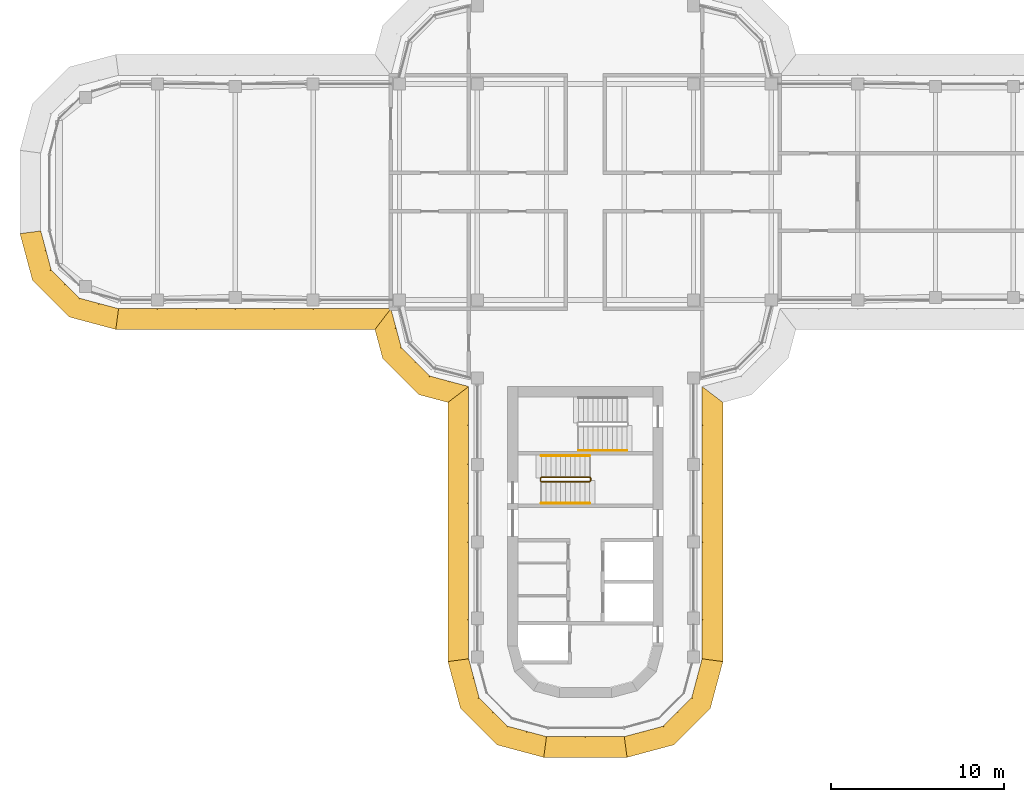
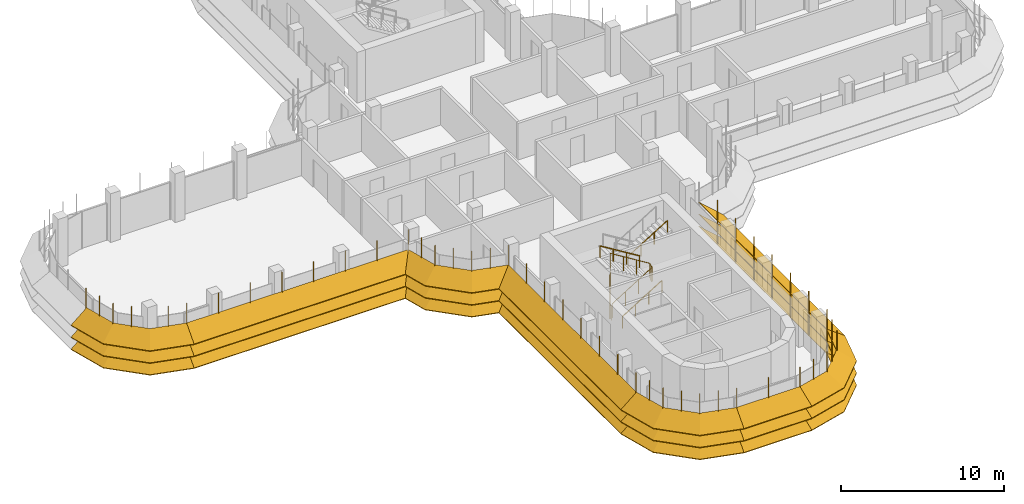
# One storey, part 16 of 19: 8 shading devices, 4 railings.
"""IFC4 building model written with IfcOpenShell, lengths in metres."""

from ifc_helpers import new_model, si_unit, direction, frame, origin, origin_2d, place, context, subcontext, project, spatial, polyline, circle, outline, extrude, faceted_brep, source, transform, mapped, material, type_object, element, save


model = new_model("IFC4")

# Units and contexts
model_context = context("Model", 3, precision=1e-05, world=origin(), true_north=direction((0.0, 1.0)))
body_context = subcontext(model_context, "Body", "Model", "MODEL_VIEW")
ifc_project = project(units=[si_unit("LENGTHUNIT", "METRE"), si_unit("AREAUNIT", "SQUARE_METRE"), si_unit("VOLUMEUNIT", "CUBIC_METRE"), si_unit("PLANEANGLEUNIT", "RADIAN"), si_unit("MASSUNIT", "GRAM", prefix="KILO")], contexts=[model_context])

# Site, building, storey
site_placement = place(None, origin())
site = spatial("IfcSite", under=ifc_project, at=site_placement, CompositionType="ELEMENT")
building_placement = place(site_placement, origin())
building = spatial("IfcBuilding", under=site, at=building_placement, Name="Zarbagh Exchange Tower", CompositionType="ELEMENT")
storey_placement = place(building_placement, frame((0.0, 0.0, 233.39990234375)))
storey = spatial("IfcBuildingStorey", under=building, at=storey_placement, Name="L57", CompositionType="ELEMENT", Elevation=233.39990234375)

# Railings
ifc_material_1 = material(Name="Stainless steel", Category="steel")
railing_type_1 = type_object("IfcRailingType", Name="Stair guard 1100 mm", PredefinedType="GUARDRAIL", material=ifc_material_1)
railing_1_placement = place(storey_placement, frame((-2.550048828125, -16.75, 0.1728515625)))
element("IfcRailing", 1, at=railing_1_placement, inside=storey, type_object=railing_type_1, Name="ST3 stair guard 1", PredefinedType="GUARDRAIL", context=body_context, shape_type="SweptSolid", body=[
    extrude(circle(Radius=0.02392578125, at=origin_2d()), frame((0.0, 0.0, 1.076171875), z_axis=(0.851089632645, 0.0, 0.525020415988), x_axis=(0.0, 1.0, 0.0)), (0.0, 0.0, 1.0), 3.2900390625),
    extrude(circle(Radius=0.02392578125, at=origin_2d()), frame((2.800048828125, 0.0, 2.80322265625), z_axis=(0.707106781187, 0.707106781187, 0.0), x_axis=(-0.707106781187, 0.707106781187, 0.0)), (0.0, 0.0, 1.0), 0.07080078125),
    extrude(circle(Radius=0.02392578125, at=origin_2d()), frame((2.85009765625, 0.050048828125, 2.80322265625), z_axis=(0.0, 1.0, 0.0), x_axis=(-1.0, 0.0, 0.0)), (0.0, 0.0, 1.0), 0.14990234375),
    extrude(circle(Radius=0.02392578125, at=origin_2d()), frame((2.85009765625, 0.199951171875, 2.80322265625), z_axis=(-0.268277960024, 0.268277960024, 0.925231793839), x_axis=(-0.707106781187, -0.707106781187, 0.0)), (0.0, 0.0, 1.0), 0.1865234375),
    extrude(circle(Radius=0.02392578125, at=origin_2d()), frame((2.800048828125, 0.25, 2.97607421875), z_axis=(-0.851089632645, 0.0, 0.525020415988), x_axis=(0.0, -1.0, 0.0)), (0.0, 0.0, 1.0), 3.2900390625),
    extrude(circle(Radius=0.02392578125, at=origin_2d()), frame((0.0, 0.25, 4.703125), z_axis=(-0.013168290981, -0.013168290981, -0.999826581076), x_axis=(0.707106781187, -0.707106781187, 0.0)), (0.0, 0.0, 1.0), 3.80078125),
    extrude(circle(Radius=0.02392578125, at=origin_2d()), frame((-0.050048828125, 0.199951171875, 0.9033203125), z_axis=(0.0, -1.0, 0.0), x_axis=(1.0, 0.0, 0.0)), (0.0, 0.0, 1.0), 0.14990234375),
    extrude(circle(Radius=0.02099609375, at=origin_2d()), origin(), (0.0, 0.0, 1.0), 1.052001953125),
    extrude(circle(Radius=0.02099609375, at=origin_2d()), frame((0.933349609375, 0.0, 0.57568359375)), (0.0, 0.0, 1.0), 1.052001953125),
    extrude(circle(Radius=0.02099609375, at=origin_2d()), frame((1.86669921875, 0.0, 1.151611328125)), (0.0, 0.0, 1.0), 1.052001953125),
    extrude(circle(Radius=0.02099609375, at=origin_2d()), frame((2.800048828125, 0.0, 1.727294921875)), (0.0, 0.0, 1.0), 1.052001953125),
    extrude(circle(Radius=0.02099609375, at=origin_2d()), frame((2.85009765625, 0.050048828125, 1.727294921875)), (0.0, 0.0, 1.0), 1.052001953125),
    extrude(circle(Radius=0.02099609375, at=origin_2d()), frame((2.85009765625, 0.199951171875, 1.727294921875)), (0.0, 0.0, 1.0), 1.052001953125),
    extrude(circle(Radius=0.02099609375, at=origin_2d()), frame((2.800048828125, 0.25, 1.89990234375)), (0.0, 0.0, 1.0), 1.052001953125),
    extrude(circle(Radius=0.02099609375, at=origin_2d()), frame((1.86669921875, 0.25, 2.4755859375)), (0.0, 0.0, 1.0), 1.052001953125),
    extrude(circle(Radius=0.02099609375, at=origin_2d()), frame((0.933349609375, 0.25, 3.051513671875)), (0.0, 0.0, 1.0), 1.052001953125),
    extrude(circle(Radius=0.02099609375, at=origin_2d()), frame((0.0, 0.25, 3.627197265625)), (0.0, 0.0, 1.0), 1.052001953125),
    extrude(circle(Radius=0.02099609375, at=origin_2d()), frame((-0.012451171875, 0.237548828125, 2.67724609375)), (0.0, 0.0, 1.0), 1.052001953125),
    extrude(circle(Radius=0.02099609375, at=origin_2d()), frame((-0.02490234375, 0.22509765625, 1.72705078125)), (0.0, 0.0, 1.0), 1.052001953125),
    extrude(circle(Radius=0.02099609375, at=origin_2d()), frame((-0.03759765625, 0.21240234375, 0.777099609375)), (0.0, 0.0, 1.0), 1.052001953125),
    extrude(circle(Radius=0.02099609375, at=origin_2d()), frame((-0.050048828125, 0.199951171875, -0.1728515625)), (0.0, 0.0, 1.0), 1.052001953125),
    extrude(circle(Radius=0.02099609375, at=origin_2d()), frame((-0.050048828125, 0.050048828125, -0.1728515625)), (0.0, 0.0, 1.0), 1.052001953125),
])
railing_type_2 = type_object("IfcRailingType", Name="Stair handrail 900 mm", PredefinedType="HANDRAIL", material=ifc_material_1)
railing_2_placement = place(storey_placement, frame((-2.550048828125, -18.0, 0.1728515625)))
element("IfcRailing", 2, at=railing_2_placement, inside=storey, type_object=railing_type_2, Name="ST3 stair handrail 1", PredefinedType="HANDRAIL", context=body_context, shape_type="SweptSolid", body=[
    extrude(circle(Radius=0.02392578125, at=origin_2d()), frame((0.0, 0.0, 0.8759765625), z_axis=(0.851089632645, 0.0, 0.525020415988), x_axis=(0.0, 1.0, 0.0)), (0.0, 0.0, 1.0), 3.2900390625),
    extrude(circle(Radius=0.02099609375, at=origin_2d()), origin(), (0.0, 0.0, 1.0), 0.851806640625),
    extrude(circle(Radius=0.02099609375, at=origin_2d()), frame((0.933349609375, 0.0, 0.57568359375)), (0.0, 0.0, 1.0), 0.851806640625),
    extrude(circle(Radius=0.02099609375, at=origin_2d()), frame((1.86669921875, 0.0, 1.151611328125)), (0.0, 0.0, 1.0), 0.851806640625),
    extrude(circle(Radius=0.02099609375, at=origin_2d()), frame((2.800048828125, 0.0, 1.727294921875)), (0.0, 0.0, 1.0), 0.851806640625),
])
railing_3_placement = place(storey_placement, frame((0.25, -15.25, 2.07275390625)))
element("IfcRailing", 3, at=railing_3_placement, inside=storey, type_object=railing_type_2, Name="ST3 stair handrail 2", PredefinedType="HANDRAIL", context=body_context, shape_type="SweptSolid", body=[
    extrude(circle(Radius=0.02392578125, at=origin_2d()), frame((0.0, 0.0, 0.8759765625), z_axis=(-0.851089632645, 0.0, 0.525020415988), x_axis=(0.0, -1.0, 0.0)), (0.0, 0.0, 1.0), 3.2900390625),
    extrude(circle(Radius=0.02099609375, at=origin_2d()), origin(), (0.0, 0.0, 1.0), 0.851806640625),
    extrude(circle(Radius=0.02099609375, at=origin_2d()), frame((-0.933349609375, 0.0, 0.57568359375)), (0.0, 0.0, 1.0), 0.851806640625),
    extrude(circle(Radius=0.02099609375, at=origin_2d()), frame((-1.86669921875, 0.0, 1.151611328125)), (0.0, 0.0, 1.0), 0.851806640625),
    extrude(circle(Radius=0.02099609375, at=origin_2d()), frame((-2.800048828125, 0.0, 1.727294921875)), (0.0, 0.0, 1.0), 0.851806640625),
])
railing_4_placement = place(storey_placement, frame((-0.39990234375, -14.949951171875, 2.07275390625)))
element("IfcRailing", 4, at=railing_4_placement, inside=storey, type_object=railing_type_2, Name="ST4 stair handrail 2", PredefinedType="HANDRAIL", context=body_context, shape_type="SweptSolid", body=[
    extrude(circle(Radius=0.02392578125, at=origin_2d()), frame((0.0, 0.0, 0.8759765625), z_axis=(0.851069175582, 0.0, 0.525053576669), x_axis=(0.0, 1.0, 0.0)), (0.0, 0.0, 1.0), 3.289794921875),
    extrude(circle(Radius=0.02099609375, at=origin_2d()), origin(), (0.0, 0.0, 1.0), 0.851806640625),
    extrude(circle(Radius=0.02099609375, at=origin_2d()), frame((0.933349609375, 0.0, 0.57568359375)), (0.0, 0.0, 1.0), 0.851806640625),
    extrude(circle(Radius=0.02099609375, at=origin_2d()), frame((1.866455078125, 0.0, 1.151611328125)), (0.0, 0.0, 1.0), 0.851806640625),
    extrude(circle(Radius=0.02099609375, at=origin_2d()), frame((2.7998046875, 0.0, 1.727294921875)), (0.0, 0.0, 1.0), 0.851806640625),
])

# Shading devices
ifc_material_2 = material(Name="Anodised aluminium blades and brackets", Category="aluminium")
shading_device_type = type_object("IfcShadingDeviceType", Name="SUNSHADE louvre band, 33.75 degree blades", PredefinedType="JALOUSIE", material=ifc_material_2)
shared_shape_1 = source(origin(), body_context, "Body", "Brep", [
    faceted_brep([(0.0, 0.0, 0.0), (0.0, 0.0, -0.048095703125), (-0.157958984375, -1.199951171875, -0.849853515625), (-0.157958984375, -1.199951171875, -0.8017578125), (2.65087890625, -1.199951171875, -0.8017578125), (2.65087890625, -1.199951171875, -0.849853515625), (2.329345703125, 0.0, -0.048095703125), (2.329345703125, 0.0, 0.0)], [[[0, 1, 2, 3]], [[4, 5, 6, 7]], [[0, 7, 6, 1]], [[1, 6, 5, 2]], [[2, 5, 4, 3]], [[3, 4, 7, 0]]]),
])
shared_shape_2 = source(origin(), body_context, "Body", "Brep", [
    faceted_brep([(0.0, 0.0, 0.0), (0.0, 0.0, -0.048095703125), (-0.321533203125, -1.199951171875, -0.849853515625), (-0.321533203125, -1.199951171875, -0.8017578125), (2.65087890625, -1.199951171875, -0.8017578125), (2.65087890625, -1.199951171875, -0.849853515625), (2.329345703125, 0.0, -0.048095703125), (2.329345703125, 0.0, 0.0)], [[[0, 1, 2, 3]], [[4, 5, 6, 7]], [[0, 7, 6, 1]], [[1, 6, 5, 2]], [[2, 5, 4, 3]], [[3, 4, 7, 0]]]),
])
shared_shape_3 = source(origin(), body_context, "Body", "Brep", [
    faceted_brep([(0.0, 0.0, 0.0), (0.0, 0.0, -0.048095703125), (-0.321533203125, -1.199951171875, -0.849853515625), (-0.321533203125, -1.199951171875, -0.8017578125), (2.4873046875, -1.199951171875, -0.8017578125), (2.4873046875, -1.199951171875, -0.849853515625), (2.329345703125, 0.0, -0.048095703125), (2.329345703125, 0.0, 0.0)], [[[0, 1, 2, 3]], [[4, 5, 6, 7]], [[0, 7, 6, 1]], [[1, 6, 5, 2]], [[2, 5, 4, 3]], [[3, 4, 7, 0]]]),
])
shared_shape_4 = source(origin(), body_context, "Body", "SweptSolid", [
    extrude(outline(polyline([(0.0, -0.012451171875), (0.06005859375, -0.012451171875), (0.06005859375, 0.012451171875), (0.0, 0.012451171875), (0.0, -0.012451171875)])), origin(), (0.0, 0.0, 1.0), 3.358154296875),
])
placement = place(storey_placement, origin())
element("IfcShadingDevice", 5, at=placement, inside=storey, type_object=shading_device_type, Name="SS35 sunshade band", PredefinedType="JALOUSIE", context=body_context, shape_type="MappedRepresentation", body=[
    mapped(shared_shape_1, transform((2.25, -31.5, 2.300048828125), x_axis=(0.965924289636, 0.258824779902, 0.0), y_axis=(-0.258824779902, 0.965924289636, 0.0), z_axis=(0.0, 0.0, 1.0))),
    mapped(shared_shape_1, transform((2.25, -31.5, 1.400146484375), x_axis=(0.965924289636, 0.258824779902, 0.0), y_axis=(-0.258824779902, 0.965924289636, 0.0), z_axis=(0.0, 0.0, 1.0))),
    mapped(shared_shape_1, transform((2.25, -31.5, 0.5), x_axis=(0.965924289636, 0.258824779902, 0.0), y_axis=(-0.258824779902, 0.965924289636, 0.0), z_axis=(0.0, 0.0, 1.0))),
    mapped(shared_shape_2, transform((4.5, -30.897216796875, 2.300048828125), x_axis=(0.707106781187, 0.707106781187, 0.0), y_axis=(-0.707106781187, 0.707106781187, 0.0), z_axis=(0.0, 0.0, 1.0))),
    mapped(shared_shape_2, transform((4.5, -30.897216796875, 1.400146484375), x_axis=(0.707106781187, 0.707106781187, 0.0), y_axis=(-0.707106781187, 0.707106781187, 0.0), z_axis=(0.0, 0.0, 1.0))),
    mapped(shared_shape_2, transform((4.5, -30.897216796875, 0.5), x_axis=(0.707106781187, 0.707106781187, 0.0), y_axis=(-0.707106781187, 0.707106781187, 0.0), z_axis=(0.0, 0.0, 1.0))),
    mapped(shared_shape_3, transform((6.147216796875, -29.25, 2.300048828125), x_axis=(0.258824779902, 0.965924289636, 0.0), y_axis=(-0.965924289636, 0.258824779902, 0.0), z_axis=(0.0, 0.0, 1.0))),
    mapped(shared_shape_3, transform((6.147216796875, -29.25, 1.400146484375), x_axis=(0.258824779902, 0.965924289636, 0.0), y_axis=(-0.965924289636, 0.258824779902, 0.0), z_axis=(0.0, 0.0, 1.0))),
    mapped(shared_shape_3, transform((6.147216796875, -29.25, 0.5), x_axis=(0.258824779902, 0.965924289636, 0.0), y_axis=(-0.965924289636, 0.258824779902, 0.0), z_axis=(0.0, 0.0, 1.0))),
    mapped(shared_shape_4, transform((2.25, -31.5, 0.421875), x_axis=(0.130529263012, -0.991444457092, 0.0), y_axis=(0.991444457092, 0.130529263012, 0.0), z_axis=(0.0, 0.0, 1.0))),
    mapped(shared_shape_4, transform((3.375, -31.198486328125, 0.421875), x_axis=(0.258825058029, -0.96592421511, 0.0), y_axis=(0.96592421511, 0.258825058029, 0.0), z_axis=(0.0, 0.0, 1.0))),
    mapped(shared_shape_4, transform((4.5, -30.897216796875, 0.421875), x_axis=(0.50000275701, -0.866023812018, 0.0), y_axis=(0.866023812018, 0.50000275701, 0.0), z_axis=(0.0, 0.0, 1.0))),
    mapped(shared_shape_4, transform((5.323486328125, -30.073486328125, 0.421875), x_axis=(0.707106781187, -0.707106781187, 0.0), y_axis=(0.707106781187, 0.707106781187, 0.0), z_axis=(0.0, 0.0, 1.0))),
    mapped(shared_shape_4, transform((6.147216796875, -29.25, 0.421875), x_axis=(0.866023812018, -0.50000275701, 0.0), y_axis=(0.50000275701, 0.866023812018, 0.0), z_axis=(0.0, 0.0, 1.0))),
    mapped(shared_shape_4, transform((6.448486328125, -28.125, 0.421875), x_axis=(0.96592421511, -0.258825058029, 0.0), y_axis=(0.258825058029, 0.96592421511, 0.0), z_axis=(0.0, 0.0, 1.0))),
])
element("IfcShadingDevice", 6, at=placement, inside=storey, type_object=shading_device_type, Name="SS43 sunshade band", PredefinedType="JALOUSIE", context=body_context, shape_type="MappedRepresentation", body=[
    mapped(shared_shape_1, transform((-31.5, -2.25, 2.300048828125), x_axis=(0.258824779902, -0.965924289636, 0.0), y_axis=(0.965924289636, 0.258824779902, 0.0), z_axis=(0.0, 0.0, 1.0))),
    mapped(shared_shape_1, transform((-31.5, -2.25, 1.400146484375), x_axis=(0.258824779902, -0.965924289636, 0.0), y_axis=(0.965924289636, 0.258824779902, 0.0), z_axis=(0.0, 0.0, 1.0))),
    mapped(shared_shape_1, transform((-31.5, -2.25, 0.5), x_axis=(0.258824779902, -0.965924289636, 0.0), y_axis=(0.965924289636, 0.258824779902, 0.0), z_axis=(0.0, 0.0, 1.0))),
    mapped(shared_shape_2, transform((-30.897216796875, -4.5, 2.300048828125), x_axis=(0.707106781187, -0.707106781187, 0.0), y_axis=(0.707106781187, 0.707106781187, 0.0), z_axis=(0.0, 0.0, 1.0))),
    mapped(shared_shape_2, transform((-30.897216796875, -4.5, 1.400146484375), x_axis=(0.707106781187, -0.707106781187, 0.0), y_axis=(0.707106781187, 0.707106781187, 0.0), z_axis=(0.0, 0.0, 1.0))),
    mapped(shared_shape_2, transform((-30.897216796875, -4.5, 0.5), x_axis=(0.707106781187, -0.707106781187, 0.0), y_axis=(0.707106781187, 0.707106781187, 0.0), z_axis=(0.0, 0.0, 1.0))),
    mapped(shared_shape_3, transform((-29.25, -6.147216796875, 2.300048828125), x_axis=(0.965924289636, -0.258824779902, 0.0), y_axis=(0.258824779902, 0.965924289636, 0.0), z_axis=(0.0, 0.0, 1.0))),
    mapped(shared_shape_3, transform((-29.25, -6.147216796875, 1.400146484375), x_axis=(0.965924289636, -0.258824779902, 0.0), y_axis=(0.258824779902, 0.965924289636, 0.0), z_axis=(0.0, 0.0, 1.0))),
    mapped(shared_shape_3, transform((-29.25, -6.147216796875, 0.5), x_axis=(0.965924289636, -0.258824779902, 0.0), y_axis=(0.258824779902, 0.965924289636, 0.0), z_axis=(0.0, 0.0, 1.0))),
    mapped(shared_shape_4, transform((-31.5, -2.25, 0.421875), x_axis=(-0.991444457092, -0.130529263012, 0.0), y_axis=(0.130529263012, -0.991444457092, 0.0), z_axis=(0.0, 0.0, 1.0))),
    mapped(shared_shape_4, transform((-31.198486328125, -3.375, 0.421875), x_axis=(-0.96592421511, -0.258825058029, 0.0), y_axis=(0.258825058029, -0.96592421511, 0.0), z_axis=(0.0, 0.0, 1.0))),
    mapped(shared_shape_4, transform((-30.897216796875, -4.5, 0.421875), x_axis=(-0.866023812018, -0.50000275701, 0.0), y_axis=(0.50000275701, -0.866023812018, 0.0), z_axis=(0.0, 0.0, 1.0))),
    mapped(shared_shape_4, transform((-30.073486328125, -5.323486328125, 0.421875), x_axis=(-0.707106781187, -0.707106781187, 0.0), y_axis=(0.707106781187, -0.707106781187, 0.0), z_axis=(0.0, 0.0, 1.0))),
    mapped(shared_shape_4, transform((-29.25, -6.147216796875, 0.421875), x_axis=(-0.50000275701, -0.866023812018, 0.0), y_axis=(0.866023812018, -0.50000275701, 0.0), z_axis=(0.0, 0.0, 1.0))),
    mapped(shared_shape_4, transform((-28.125, -6.448486328125, 0.421875), x_axis=(-0.258825058029, -0.96592421511, 0.0), y_axis=(0.96592421511, -0.258825058029, 0.0), z_axis=(0.0, 0.0, 1.0))),
])
element("IfcShadingDevice", 7, at=placement, inside=storey, type_object=shading_device_type, Name="SS38 sunshade band", PredefinedType="JALOUSIE", context=body_context, shape_type="MappedRepresentation", body=[
    mapped(shared_shape_1, transform((-6.75, -27.0, 2.300048828125), x_axis=(0.258824779902, -0.965924289636, 0.0), y_axis=(0.965924289636, 0.258824779902, 0.0), z_axis=(0.0, 0.0, 1.0))),
    mapped(shared_shape_1, transform((-6.75, -27.0, 1.400146484375), x_axis=(0.258824779902, -0.965924289636, 0.0), y_axis=(0.965924289636, 0.258824779902, 0.0), z_axis=(0.0, 0.0, 1.0))),
    mapped(shared_shape_1, transform((-6.75, -27.0, 0.5), x_axis=(0.258824779902, -0.965924289636, 0.0), y_axis=(0.965924289636, 0.258824779902, 0.0), z_axis=(0.0, 0.0, 1.0))),
    mapped(shared_shape_2, transform((-6.147216796875, -29.25, 2.300048828125), x_axis=(0.707106781187, -0.707106781187, 0.0), y_axis=(0.707106781187, 0.707106781187, 0.0), z_axis=(0.0, 0.0, 1.0))),
    mapped(shared_shape_2, transform((-6.147216796875, -29.25, 1.400146484375), x_axis=(0.707106781187, -0.707106781187, 0.0), y_axis=(0.707106781187, 0.707106781187, 0.0), z_axis=(0.0, 0.0, 1.0))),
    mapped(shared_shape_2, transform((-6.147216796875, -29.25, 0.5), x_axis=(0.707106781187, -0.707106781187, 0.0), y_axis=(0.707106781187, 0.707106781187, 0.0), z_axis=(0.0, 0.0, 1.0))),
    mapped(shared_shape_3, transform((-4.5, -30.897216796875, 2.300048828125), x_axis=(0.965924289636, -0.258824779902, 0.0), y_axis=(0.258824779902, 0.965924289636, 0.0), z_axis=(0.0, 0.0, 1.0))),
    mapped(shared_shape_3, transform((-4.5, -30.897216796875, 1.400146484375), x_axis=(0.965924289636, -0.258824779902, 0.0), y_axis=(0.258824779902, 0.965924289636, 0.0), z_axis=(0.0, 0.0, 1.0))),
    mapped(shared_shape_3, transform((-4.5, -30.897216796875, 0.5), x_axis=(0.965924289636, -0.258824779902, 0.0), y_axis=(0.258824779902, 0.965924289636, 0.0), z_axis=(0.0, 0.0, 1.0))),
    mapped(shared_shape_4, transform((-6.75, -27.0, 0.421875), x_axis=(-0.991444457092, -0.130529263012, 0.0), y_axis=(0.130529263012, -0.991444457092, 0.0), z_axis=(0.0, 0.0, 1.0))),
    mapped(shared_shape_4, transform((-6.448486328125, -28.125, 0.421875), x_axis=(-0.96592421511, -0.258825058029, 0.0), y_axis=(0.258825058029, -0.96592421511, 0.0), z_axis=(0.0, 0.0, 1.0))),
    mapped(shared_shape_4, transform((-6.147216796875, -29.25, 0.421875), x_axis=(-0.866023812018, -0.50000275701, 0.0), y_axis=(0.50000275701, -0.866023812018, 0.0), z_axis=(0.0, 0.0, 1.0))),
    mapped(shared_shape_4, transform((-5.323486328125, -30.073486328125, 0.421875), x_axis=(-0.707106781187, -0.707106781187, 0.0), y_axis=(0.707106781187, -0.707106781187, 0.0), z_axis=(0.0, 0.0, 1.0))),
    mapped(shared_shape_4, transform((-4.5, -30.897216796875, 0.421875), x_axis=(-0.50000275701, -0.866023812018, 0.0), y_axis=(0.866023812018, -0.50000275701, 0.0), z_axis=(0.0, 0.0, 1.0))),
    mapped(shared_shape_4, transform((-3.375, -31.198486328125, 0.421875), x_axis=(-0.258825058029, -0.96592421511, 0.0), y_axis=(0.96592421511, -0.258825058029, 0.0), z_axis=(0.0, 0.0, 1.0))),
])
shared_shape_5 = source(origin(), body_context, "Body", "Brep", [
    faceted_brep([(0.0, 0.0, 0.0), (0.0, 0.0, -0.048095703125), (0.9208984375, -1.199951171875, -0.849853515625), (0.9208984375, -1.199951171875, -0.8017578125), (2.65087890625, -1.199951171875, -0.8017578125), (2.65087890625, -1.199951171875, -0.849853515625), (2.329345703125, 0.0, -0.048095703125), (2.329345703125, 0.0, 0.0)], [[[0, 1, 2, 3]], [[4, 5, 6, 7]], [[0, 7, 6, 1]], [[1, 6, 5, 2]], [[2, 5, 4, 3]], [[3, 4, 7, 0]]]),
])
shared_shape_6 = source(origin(), body_context, "Body", "Brep", [
    faceted_brep([(0.0, 0.0, 0.0), (0.0, 0.0, -0.048095703125), (-0.321533203125, -1.199951171875, -0.849853515625), (-0.321533203125, -1.199951171875, -0.8017578125), (1.40869140625, -1.199951171875, -0.8017578125), (1.40869140625, -1.199951171875, -0.849853515625), (2.329345703125, 0.0, -0.048095703125), (2.329345703125, 0.0, 0.0)], [[[0, 1, 2, 3]], [[4, 5, 6, 7]], [[0, 7, 6, 1]], [[1, 6, 5, 2]], [[2, 5, 4, 3]], [[3, 4, 7, 0]]]),
])
element("IfcShadingDevice", 8, at=placement, inside=storey, type_object=shading_device_type, Name="SS21 sunshade band", PredefinedType="JALOUSIE", context=body_context, shape_type="MappedRepresentation", body=[
    mapped(shared_shape_5, transform((-11.25, -6.75, 2.300048828125), x_axis=(0.258824779902, -0.965924289636, 0.0), y_axis=(0.965924289636, 0.258824779902, 0.0), z_axis=(0.0, 0.0, 1.0))),
    mapped(shared_shape_5, transform((-11.25, -6.75, 1.400146484375), x_axis=(0.258824779902, -0.965924289636, 0.0), y_axis=(0.965924289636, 0.258824779902, 0.0), z_axis=(0.0, 0.0, 1.0))),
    mapped(shared_shape_5, transform((-11.25, -6.75, 0.5), x_axis=(0.258824779902, -0.965924289636, 0.0), y_axis=(0.965924289636, 0.258824779902, 0.0), z_axis=(0.0, 0.0, 1.0))),
    mapped(shared_shape_2, transform((-10.647216796875, -9.0, 2.300048828125), x_axis=(0.707106781187, -0.707106781187, 0.0), y_axis=(0.707106781187, 0.707106781187, 0.0), z_axis=(0.0, 0.0, 1.0))),
    mapped(shared_shape_2, transform((-10.647216796875, -9.0, 1.400146484375), x_axis=(0.707106781187, -0.707106781187, 0.0), y_axis=(0.707106781187, 0.707106781187, 0.0), z_axis=(0.0, 0.0, 1.0))),
    mapped(shared_shape_2, transform((-10.647216796875, -9.0, 0.5), x_axis=(0.707106781187, -0.707106781187, 0.0), y_axis=(0.707106781187, 0.707106781187, 0.0), z_axis=(0.0, 0.0, 1.0))),
    mapped(shared_shape_6, transform((-9.0, -10.647216796875, 2.300048828125), x_axis=(0.965924289636, -0.258824779902, 0.0), y_axis=(0.258824779902, 0.965924289636, 0.0), z_axis=(0.0, 0.0, 1.0))),
    mapped(shared_shape_6, transform((-9.0, -10.647216796875, 1.400146484375), x_axis=(0.965924289636, -0.258824779902, 0.0), y_axis=(0.258824779902, 0.965924289636, 0.0), z_axis=(0.0, 0.0, 1.0))),
    mapped(shared_shape_6, transform((-9.0, -10.647216796875, 0.5), x_axis=(0.965924289636, -0.258824779902, 0.0), y_axis=(0.258824779902, 0.965924289636, 0.0), z_axis=(0.0, 0.0, 1.0))),
    mapped(shared_shape_4, transform((-11.25, -6.75, 0.421875), x_axis=(-0.608758892, -0.793355287, 0.0), y_axis=(0.793355287, -0.608758892, 0.0), z_axis=(0.0, 0.0, 1.0))),
    mapped(shared_shape_4, transform((-10.948486328125, -7.875, 0.421875), x_axis=(-0.96592421511, -0.258825058029, 0.0), y_axis=(0.258825058029, -0.96592421511, 0.0), z_axis=(0.0, 0.0, 1.0))),
    mapped(shared_shape_4, transform((-10.647216796875, -9.0, 0.421875), x_axis=(-0.866023812018, -0.50000275701, 0.0), y_axis=(0.50000275701, -0.866023812018, 0.0), z_axis=(0.0, 0.0, 1.0))),
    mapped(shared_shape_4, transform((-9.823486328125, -9.823486328125, 0.421875), x_axis=(-0.707106781187, -0.707106781187, 0.0), y_axis=(0.707106781187, -0.707106781187, 0.0), z_axis=(0.0, 0.0, 1.0))),
    mapped(shared_shape_4, transform((-9.0, -10.647216796875, 0.421875), x_axis=(-0.50000275701, -0.866023812018, 0.0), y_axis=(0.866023812018, -0.50000275701, 0.0), z_axis=(0.0, 0.0, 1.0))),
    mapped(shared_shape_4, transform((-7.875, -10.948486328125, 0.421875), x_axis=(-0.258825058029, -0.96592421511, 0.0), y_axis=(0.96592421511, -0.258825058029, 0.0), z_axis=(0.0, 0.0, 1.0))),
])
shared_shape_7 = source(origin(), body_context, "Body", "Brep", [
    faceted_brep([(0.0, 0.0, 0.0), (0.0, 0.0, -0.048095703125), (-0.157958984375, -1.199951171875, -0.849853515625), (-0.157958984375, -1.199951171875, -0.8017578125), (14.8291015625, -1.199951171875, -0.8017578125), (14.8291015625, -1.199951171875, -0.849853515625), (15.75, 0.0, -0.048095703125), (15.75, 0.0, 0.0)], [[[0, 1, 2, 3]], [[4, 5, 6, 7]], [[0, 7, 6, 1]], [[1, 6, 5, 2]], [[2, 5, 4, 3]], [[3, 4, 7, 0]]]),
])
element("IfcShadingDevice", 9, at=placement, inside=storey, type_object=shading_device_type, Name="SS36 sunshade band", PredefinedType="JALOUSIE", context=body_context, shape_type="MappedRepresentation", body=[
    mapped(shared_shape_7, transform((6.75, -27.0, 2.300048828125), x_axis=(0.0, 1.0, 0.0), y_axis=(-1.0, 0.0, 0.0), z_axis=(0.0, 0.0, 1.0))),
    mapped(shared_shape_7, transform((6.75, -27.0, 1.400146484375), x_axis=(0.0, 1.0, 0.0), y_axis=(-1.0, 0.0, 0.0), z_axis=(0.0, 0.0, 1.0))),
    mapped(shared_shape_7, transform((6.75, -27.0, 0.5), x_axis=(0.0, 1.0, 0.0), y_axis=(-1.0, 0.0, 0.0), z_axis=(0.0, 0.0, 1.0))),
    mapped(shared_shape_4, transform((6.75, -27.0, 0.421875), x_axis=(0.991444457092, -0.130529263012, 0.0), y_axis=(0.130529263012, 0.991444457092, 0.0), z_axis=(0.0, 0.0, 1.0))),
    mapped(shared_shape_4, transform((6.75, -24.75, 0.421875), x_axis=(1.0, 0.0, 0.0), y_axis=(0.0, 1.0, 0.0), z_axis=(0.0, 0.0, 1.0))),
    mapped(shared_shape_4, transform((6.75, -22.5, 0.421875), x_axis=(1.0, 0.0, 0.0), y_axis=(0.0, 1.0, 0.0), z_axis=(0.0, 0.0, 1.0))),
    mapped(shared_shape_4, transform((6.75, -20.25, 0.421875), x_axis=(1.0, 0.0, 0.0), y_axis=(0.0, 1.0, 0.0), z_axis=(0.0, 0.0, 1.0))),
    mapped(shared_shape_4, transform((6.75, -18.0, 0.421875), x_axis=(1.0, 0.0, 0.0), y_axis=(0.0, 1.0, 0.0), z_axis=(0.0, 0.0, 1.0))),
    mapped(shared_shape_4, transform((6.75, -15.75, 0.421875), x_axis=(1.0, 0.0, 0.0), y_axis=(0.0, 1.0, 0.0), z_axis=(0.0, 0.0, 1.0))),
    mapped(shared_shape_4, transform((6.75, -13.5, 0.421875), x_axis=(1.0, 0.0, 0.0), y_axis=(0.0, 1.0, 0.0), z_axis=(0.0, 0.0, 1.0))),
])
element("IfcShadingDevice", 10, at=placement, inside=storey, type_object=shading_device_type, Name="SS44 sunshade band", PredefinedType="JALOUSIE", context=body_context, shape_type="MappedRepresentation", body=[
    mapped(shared_shape_7, transform((-27.0, -6.75, 2.300048828125), x_axis=(1.0, 0.0, 0.0), y_axis=(0.0, 1.0, 0.0), z_axis=(0.0, 0.0, 1.0))),
    mapped(shared_shape_7, transform((-27.0, -6.75, 1.400146484375), x_axis=(1.0, 0.0, 0.0), y_axis=(0.0, 1.0, 0.0), z_axis=(0.0, 0.0, 1.0))),
    mapped(shared_shape_7, transform((-27.0, -6.75, 0.5), x_axis=(1.0, 0.0, 0.0), y_axis=(0.0, 1.0, 0.0), z_axis=(0.0, 0.0, 1.0))),
    mapped(shared_shape_4, transform((-27.0, -6.75, 0.421875), x_axis=(-0.130529263012, -0.991444457092, 0.0), y_axis=(0.991444457092, -0.130529263012, 0.0), z_axis=(0.0, 0.0, 1.0))),
    mapped(shared_shape_4, transform((-24.75, -6.75, 0.421875), x_axis=(0.0, -1.0, 0.0), y_axis=(1.0, 0.0, 0.0), z_axis=(0.0, 0.0, 1.0))),
    mapped(shared_shape_4, transform((-22.5, -6.75, 0.421875), x_axis=(0.0, -1.0, 0.0), y_axis=(1.0, 0.0, 0.0), z_axis=(0.0, 0.0, 1.0))),
    mapped(shared_shape_4, transform((-20.25, -6.75, 0.421875), x_axis=(0.0, -1.0, 0.0), y_axis=(1.0, 0.0, 0.0), z_axis=(0.0, 0.0, 1.0))),
    mapped(shared_shape_4, transform((-18.0, -6.75, 0.421875), x_axis=(0.0, -1.0, 0.0), y_axis=(1.0, 0.0, 0.0), z_axis=(0.0, 0.0, 1.0))),
    mapped(shared_shape_4, transform((-15.75, -6.75, 0.421875), x_axis=(0.0, -1.0, 0.0), y_axis=(1.0, 0.0, 0.0), z_axis=(0.0, 0.0, 1.0))),
    mapped(shared_shape_4, transform((-13.5, -6.75, 0.421875), x_axis=(0.0, -1.0, 0.0), y_axis=(1.0, 0.0, 0.0), z_axis=(0.0, 0.0, 1.0))),
])
shared_shape_8 = source(origin(), body_context, "Body", "Brep", [
    faceted_brep([(0.0, 0.0, 0.0), (0.0, 0.0, -0.048095703125), (0.9208984375, -1.199951171875, -0.849853515625), (0.9208984375, -1.199951171875, -0.8017578125), (15.907958984375, -1.199951171875, -0.8017578125), (15.907958984375, -1.199951171875, -0.849853515625), (15.75, 0.0, -0.048095703125), (15.75, 0.0, 0.0)], [[[0, 1, 2, 3]], [[4, 5, 6, 7]], [[0, 7, 6, 1]], [[1, 6, 5, 2]], [[2, 5, 4, 3]], [[3, 4, 7, 0]]]),
])
element("IfcShadingDevice", 11, at=placement, inside=storey, type_object=shading_device_type, Name="SS37 sunshade band", PredefinedType="JALOUSIE", context=body_context, shape_type="MappedRepresentation", body=[
    mapped(shared_shape_8, transform((-6.75, -11.25, 2.300048828125), x_axis=(0.0, -1.0, 0.0), y_axis=(1.0, 0.0, 0.0), z_axis=(0.0, 0.0, 1.0))),
    mapped(shared_shape_8, transform((-6.75, -11.25, 1.400146484375), x_axis=(0.0, -1.0, 0.0), y_axis=(1.0, 0.0, 0.0), z_axis=(0.0, 0.0, 1.0))),
    mapped(shared_shape_8, transform((-6.75, -11.25, 0.5), x_axis=(0.0, -1.0, 0.0), y_axis=(1.0, 0.0, 0.0), z_axis=(0.0, 0.0, 1.0))),
    mapped(shared_shape_4, transform((-6.75, -11.25, 0.421875), x_axis=(-0.793355287, -0.608758892, 0.0), y_axis=(0.608758892, -0.793355287, 0.0), z_axis=(0.0, 0.0, 1.0))),
    mapped(shared_shape_4, transform((-6.75, -13.5, 0.421875), x_axis=(-1.0, 0.0, 0.0), y_axis=(0.0, -1.0, 0.0), z_axis=(0.0, 0.0, 1.0))),
    mapped(shared_shape_4, transform((-6.75, -15.75, 0.421875), x_axis=(-1.0, 0.0, 0.0), y_axis=(0.0, -1.0, 0.0), z_axis=(0.0, 0.0, 1.0))),
    mapped(shared_shape_4, transform((-6.75, -18.0, 0.421875), x_axis=(-1.0, 0.0, 0.0), y_axis=(0.0, -1.0, 0.0), z_axis=(0.0, 0.0, 1.0))),
    mapped(shared_shape_4, transform((-6.75, -20.25, 0.421875), x_axis=(-1.0, 0.0, 0.0), y_axis=(0.0, -1.0, 0.0), z_axis=(0.0, 0.0, 1.0))),
    mapped(shared_shape_4, transform((-6.75, -22.5, 0.421875), x_axis=(-1.0, 0.0, 0.0), y_axis=(0.0, -1.0, 0.0), z_axis=(0.0, 0.0, 1.0))),
    mapped(shared_shape_4, transform((-6.75, -24.75, 0.421875), x_axis=(-1.0, 0.0, 0.0), y_axis=(0.0, -1.0, 0.0), z_axis=(0.0, 0.0, 1.0))),
])
shared_shape_9 = source(origin(), body_context, "Body", "Brep", [
    faceted_brep([(0.0, 0.0, 0.0), (0.0, 0.0, -0.048095703125), (-0.157958984375, -1.199951171875, -0.849853515625), (-0.157958984375, -1.199951171875, -0.8017578125), (4.657958984375, -1.199951171875, -0.8017578125), (4.657958984375, -1.199951171875, -0.849853515625), (4.5, 0.0, -0.048095703125), (4.5, 0.0, 0.0)], [[[0, 1, 2, 3]], [[4, 5, 6, 7]], [[0, 7, 6, 1]], [[1, 6, 5, 2]], [[2, 5, 4, 3]], [[3, 4, 7, 0]]]),
])
element("IfcShadingDevice", 12, at=placement, inside=storey, type_object=shading_device_type, Name="SS39 sunshade band", PredefinedType="JALOUSIE", context=body_context, shape_type="MappedRepresentation", body=[
    mapped(shared_shape_9, transform((-2.25, -31.5, 2.300048828125), x_axis=(1.0, 0.0, 0.0), y_axis=(0.0, 1.0, 0.0), z_axis=(0.0, 0.0, 1.0))),
    mapped(shared_shape_9, transform((-2.25, -31.5, 1.400146484375), x_axis=(1.0, 0.0, 0.0), y_axis=(0.0, 1.0, 0.0), z_axis=(0.0, 0.0, 1.0))),
    mapped(shared_shape_9, transform((-2.25, -31.5, 0.5), x_axis=(1.0, 0.0, 0.0), y_axis=(0.0, 1.0, 0.0), z_axis=(0.0, 0.0, 1.0))),
    mapped(shared_shape_4, transform((-2.25, -31.5, 0.421875), x_axis=(-0.130529263012, -0.991444457092, 0.0), y_axis=(0.991444457092, -0.130529263012, 0.0), z_axis=(0.0, 0.0, 1.0))),
    mapped(shared_shape_4, transform((0.0, -31.5, 0.421875), x_axis=(0.0, -1.0, 0.0), y_axis=(1.0, 0.0, 0.0), z_axis=(0.0, 0.0, 1.0))),
])

save(model, "model.ifc")
